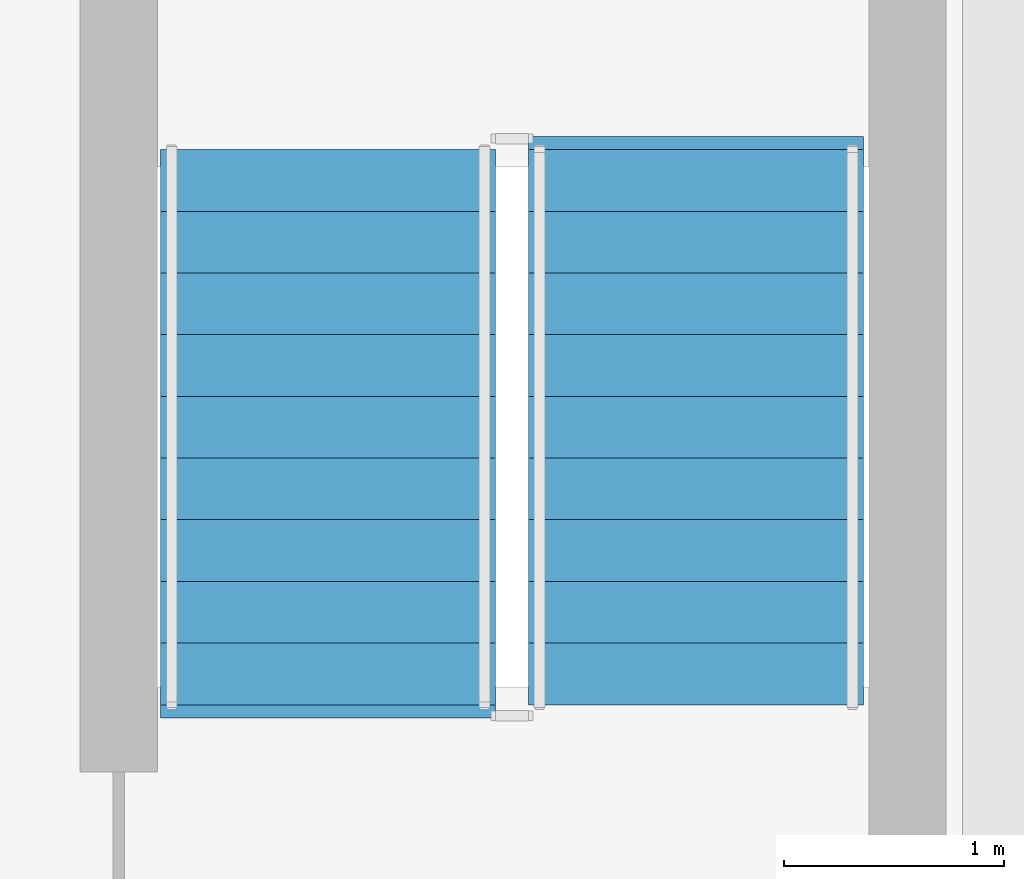
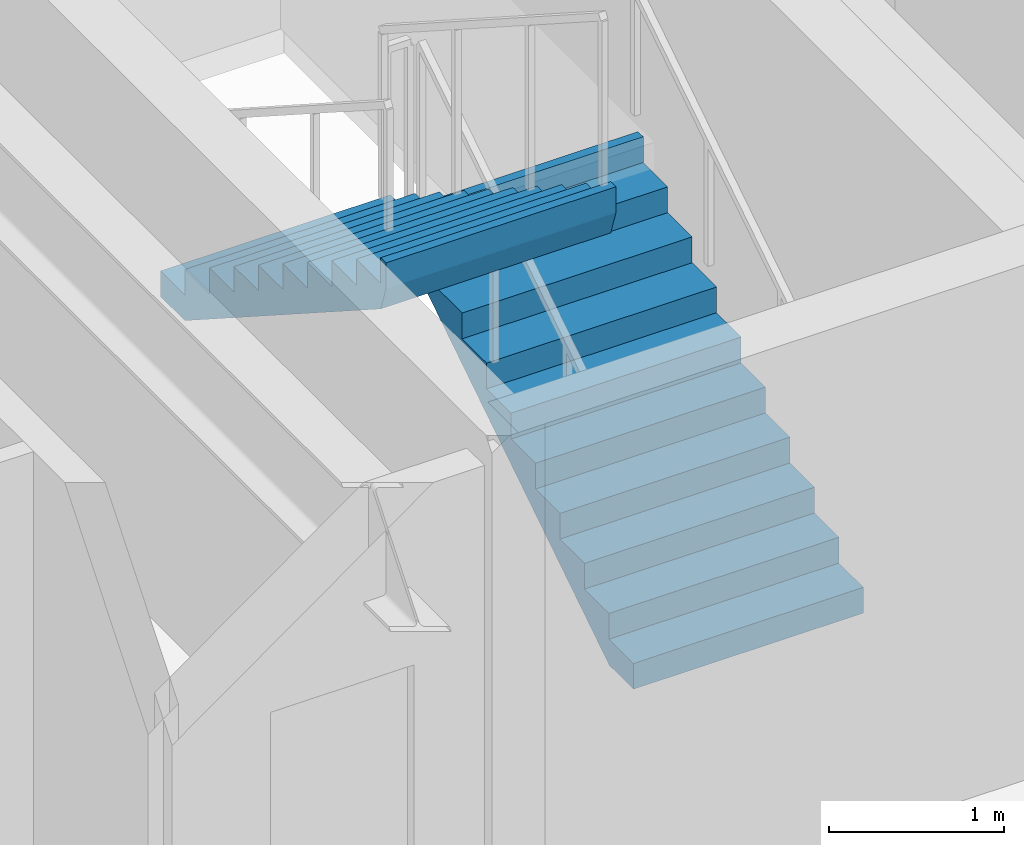
# One storey, part 7 of 10: 2 stair flights, 1 element without a shape of its own.
"""IFC4 building model written with IfcOpenShell, lengths in metres."""

from ifc_helpers import new_model, si_unit, direction, frame, origin, place, context, subcontext, project, spatial, polyline, outline, extrude, material, type_object, element, aggregate, save


model = new_model("IFC4")

# Units and contexts
model_context = context("Model", 3, precision=1e-05, world=origin(), true_north=direction((0.0, 1.0)))
body_context = subcontext(model_context, "Body", "Model", "MODEL_VIEW")
ifc_project = project(units=[si_unit("LENGTHUNIT", "METRE"), si_unit("AREAUNIT", "SQUARE_METRE"), si_unit("VOLUMEUNIT", "CUBIC_METRE"), si_unit("PLANEANGLEUNIT", "RADIAN"), si_unit("MASSUNIT", "GRAM", prefix="KILO")], contexts=[model_context])

# Site, building, storey
site_placement = place(None, origin())
site = spatial("IfcSite", under=ifc_project, at=site_placement, CompositionType="ELEMENT")
building_placement = place(site_placement, origin())
building = spatial("IfcBuilding", under=site, at=building_placement, Name="Orvandelia Arch Residences", CompositionType="ELEMENT")
storey_placement = place(building_placement, frame((0.0, 0.0, 232.60009765625)))
storey = spatial("IfcBuildingStorey", under=building, at=storey_placement, Name="L61", CompositionType="ELEMENT", Elevation=232.60009765625)

# Stair, stair flights
ifc_material = material(Name="Concrete C40/50", Category="concrete")
stair_type = type_object("IfcStairType", Name="STAIR-RC-DOGLEG", PredefinedType="HALF_TURN_STAIR", material=ifc_material)
stair_placement = place(storey_placement, origin())
stair = element("IfcStair", 1, at=stair_placement, inside=storey, type_object=stair_type, Name="L61 East Wing Exit Stair ST-3", PredefinedType="HALF_TURN_STAIR")
stair_flight_type = type_object("IfcStairFlightType", Name="STFLT-RC-1520", PredefinedType="STRAIGHT", material=ifc_material)
stair_flight_1_placement = place(storey_placement, frame((46.639892578125, 37.77001953125, 0.0), z_axis=(0.0, 0.0, 1.0), x_axis=(0.0, 1.0, 0.0)))
stair_flight_1 = element("IfcStairFlight", 2, at=stair_flight_1_placement, type_object=stair_flight_type, Name="ST-3 flight 1", NumberOfRisers=10, NumberOfTreads=9, PredefinedType="STRAIGHT", RiserHeight=0.18, TreadLength=0.28, context=body_context, shape_type="SweptSolid", body=[
    extrude(outline(polyline([(0.0, 0.0), (0.0, 0.179931640625), (0.280029296875, 0.179931640625), (0.280029296875, 0.360107421875), (0.56005859375, 0.360107421875), (0.56005859375, 0.5400390625), (0.840087890625, 0.5400390625), (0.840087890625, 0.719970703125), (1.1201171875, 0.719970703125), (1.1201171875, 0.89990234375), (1.39990234375, 0.89990234375), (1.39990234375, 1.080078125), (1.679931640625, 1.080078125), (1.679931640625, 1.260009765625), (1.9599609375, 1.260009765625), (1.9599609375, 1.43994140625), (2.239990234375, 1.43994140625), (2.239990234375, 1.6201171875), (2.52001953125, 1.6201171875), (2.52001953125, 1.800048828125), (2.580078125, 1.800048828125), (2.580078125, 1.6201171875), (2.52001953125, 1.44189453125), (0.277099609375, 0.0), (0.0, 0.0)])), frame((0.0, 0.760009765625, 0.0), z_axis=(0.0, -1.0, 0.0), x_axis=(1.0, 0.0, 0.0)), (0.0, 0.0, 1.0), 1.52001953125),
])
stair_flight_2_placement = place(storey_placement, frame((44.969970703125, 40.2900390625, 1.7998046875), z_axis=(0.0, 0.0, 1.0), x_axis=(0.0, -1.0, 0.0)))
stair_flight_2 = element("IfcStairFlight", 3, at=stair_flight_2_placement, type_object=stair_flight_type, Name="ST-3 flight 2", NumberOfRisers=10, NumberOfTreads=9, PredefinedType="STRAIGHT", RiserHeight=0.18, TreadLength=0.28, context=body_context, shape_type="SweptSolid", body=[
    extrude(outline(polyline([(0.0, 0.0), (0.0, 0.179931640625), (0.280029296875, 0.179931640625), (0.280029296875, 0.360107421875), (0.56005859375, 0.360107421875), (0.56005859375, 0.5400390625), (0.840087890625, 0.5400390625), (0.840087890625, 0.719970703125), (1.1201171875, 0.719970703125), (1.1201171875, 0.89990234375), (1.39990234375, 0.89990234375), (1.39990234375, 1.080078125), (1.679931640625, 1.080078125), (1.679931640625, 1.260009765625), (1.9599609375, 1.260009765625), (1.9599609375, 1.43994140625), (2.239990234375, 1.43994140625), (2.239990234375, 1.6201171875), (2.52001953125, 1.6201171875), (2.52001953125, 1.800048828125), (2.580078125, 1.800048828125), (2.580078125, 1.6201171875), (2.52001953125, 1.44189453125), (0.277099609375, 0.0), (0.0, 0.0)])), frame((0.0, 0.760009765625, 0.0), z_axis=(0.0, -1.0, 0.0), x_axis=(1.0, 0.0, 0.0)), (0.0, 0.0, 1.0), 1.52001953125),
])
aggregate(stair, [stair_flight_1, stair_flight_2])

save(model, "model.ifc")
